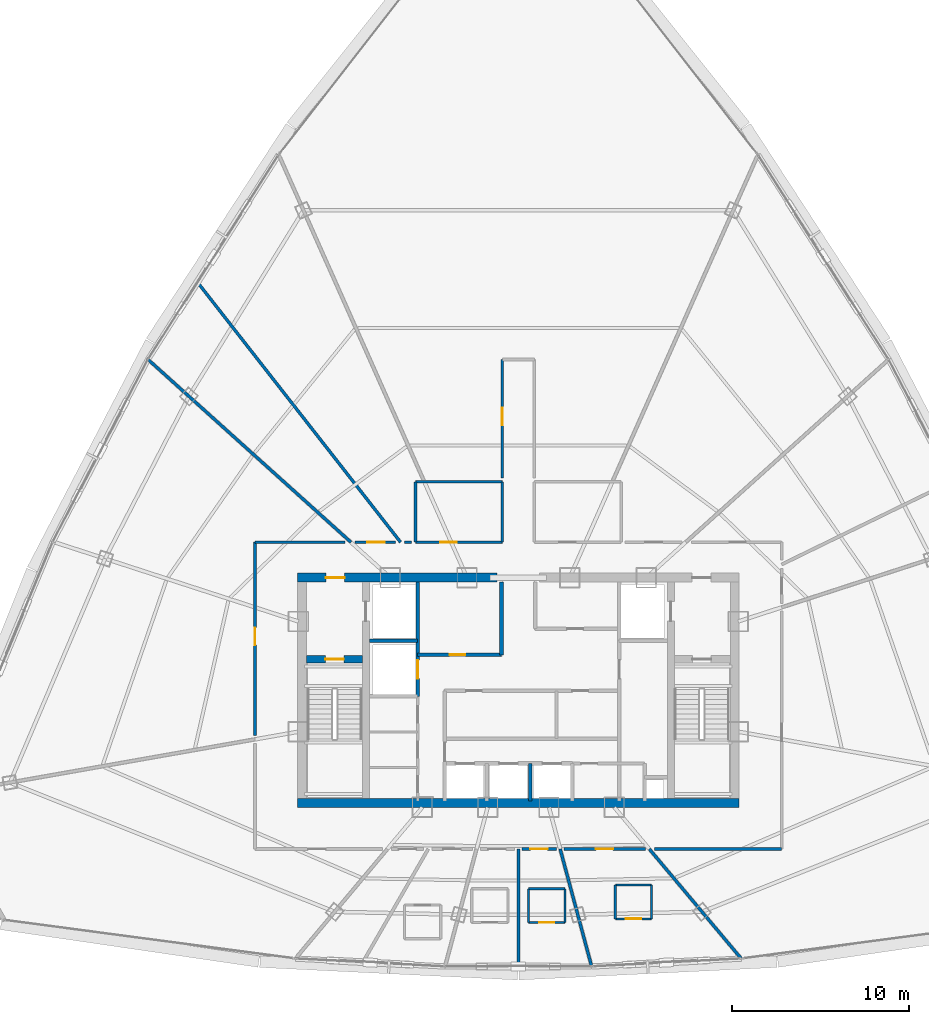
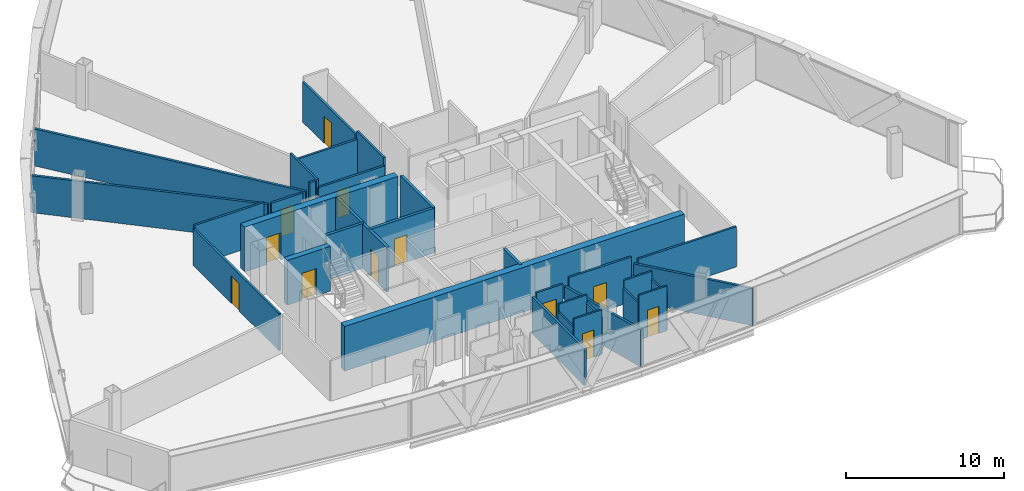
# One storey, part 32 of 37: 33 walls, 12 doors, 12 openings.
"""IFC4 building model written with IfcOpenShell, lengths in metres."""

from ifc_helpers import new_model, si_unit, direction, frame, frame_2d, origin, origin_with_axes, place, context, subcontext, project, spatial, rectangle, extrude, source, transform, mapped, material, layer, layer_set, type_object, element, fill, save


model = new_model("IFC4")

# Units and contexts
model_context = context("Model", 3, precision=1e-05, world=origin(), true_north=direction((0.0, 1.0)))
body_context = subcontext(model_context, "Body", "Model", "MODEL_VIEW")
ifc_project = project(units=[si_unit("LENGTHUNIT", "METRE"), si_unit("AREAUNIT", "SQUARE_METRE"), si_unit("VOLUMEUNIT", "CUBIC_METRE"), si_unit("PLANEANGLEUNIT", "RADIAN"), si_unit("MASSUNIT", "GRAM", prefix="KILO"), si_unit("THERMODYNAMICTEMPERATUREUNIT", "KELVIN"), si_unit("POWERUNIT", "WATT")], contexts=[model_context])

# Site, building, storey
site_placement = place(None, origin())
site = spatial("IfcSite", under=ifc_project, at=site_placement, CompositionType="ELEMENT")
building_placement = place(site_placement, origin())
building = spatial("IfcBuilding", under=site, at=building_placement, Name="Yunzhuo Pagoda Commons", CompositionType="ELEMENT")
storey_placement = place(building_placement, frame((0.0, 0.0, 281.2900390625)))
storey = spatial("IfcBuildingStorey", under=building, at=storey_placement, Name="L70", CompositionType="ELEMENT", Elevation=281.2900390625)

# Wall
ifc_material_1 = material(Name="Concrete C50", Category="concrete")
ifc_layer_1 = layer(ifc_material_1, 0.5)
ifc_layer_set_1 = layer_set([ifc_layer_1], Name="Concrete C50")
wall_type_1 = type_object("IfcWallType", Name="W-C03 Upper Core Shear Wall 500", PredefinedType="SHEAR", material=ifc_layer_set_1)
wall_1_placement = place(storey_placement, frame((35.550048828125, 27.5, 0.0), z_axis=(0.0, 0.0, 1.0), x_axis=(1.0, 0.0, 0.0)))
element("IfcWall", 1, at=wall_1_placement, inside=storey, type_object=wall_type_1, Name="L70 core shear wall S", PredefinedType="SHEAR", context=body_context, shape_type="SweptSolid", body=[
    extrude(rectangle(XDim=24.89990234375, YDim=0.5, at=frame_2d((12.449951171875, 0.0))), origin(), (0.0, 0.0, 1.0), 3.469970703125),
])

# Wall, opening, door
wall_2_placement = place(storey_placement, frame((35.550048828125, 40.199951171875, 0.0), z_axis=(0.0, 0.0, 1.0), x_axis=(1.0, 0.0, 0.0)))
wall_2 = element("IfcWall", 2, at=wall_2_placement, inside=storey, type_object=wall_type_1, Name="L70 core shear wall NW", PredefinedType="SHEAR", context=body_context, shape_type="SweptSolid", body=[
    extrude(rectangle(XDim=11.25, YDim=0.5, at=frame_2d((5.625, 0.0))), origin(), (0.0, 0.0, 1.0), 3.469970703125),
])
opening_1_placement = place(wall_2_placement, frame((1.60009765625, 0.0, 0.0)))
opening_1 = element("IfcOpeningElement", 3, at=opening_1_placement, cuts=wall_2, Name="Opening D-02", PredefinedType="OPENING", context=body_context, shape_type="SweptSolid", body=[
    extrude(rectangle(XDim=1.050048828125, YDim=2.10009765625, at=frame_2d((0.52490234375, 1.050048828125))), frame((0.0, 0.260009765625, 0.0), z_axis=(0.0, -1.0, 0.0), x_axis=(1.0, 0.0, 0.0)), (0.0, 0.0, 1.0), 0.52001953125),
])
ifc_material_2 = material(Name="Galvanized fire-resisting metal leaf")
door_type_1 = type_object("IfcDoorType", Name="D-02 Firefighting Lobby & Refuge Fire Door 1050x2100", OperationType="NOTDEFINED", PredefinedType="DOOR", material=ifc_material_2)
shared_shape_1 = source(origin(), body_context, "Body", "SweptSolid", [
    extrude(rectangle(XDim=1.050048828125, YDim=2.10009765625, at=frame_2d((0.52490234375, 1.050048828125))), frame((0.0, 0.02490234375, 0.0), z_axis=(0.0, -1.0, 0.0), x_axis=(1.0, 0.0, 0.0)), (0.0, 0.0, 1.0), 0.050048828125),
])
door_1_placement = place(opening_1_placement, frame((1.050048828125, 0.0, 0.0), z_axis=(0.0, 0.0, 1.0), x_axis=(-1.0, 0.0, 0.0)))
door_1 = element("IfcDoor", 4, at=door_1_placement, inside=storey, type_object=door_type_1, Name="L70 Firefighting Lobby 1 fire door", OperationType="SINGLE_SWING_LEFT", OverallHeight=2.10009765625, OverallWidth=1.050048828125, PredefinedType="DOOR", context=body_context, shape_type="MappedRepresentation", body=[
    mapped(shared_shape_1, transform((0.0, 0.0, 0.0), scale=1.0)),
])
fill(opening_1, door_1)

ifc_material_3 = material(Name="Gypsum plasterboard on acoustic stud")
ifc_layer_2 = layer(ifc_material_3, 0.14990234375)
ifc_layer_set_2 = layer_set([ifc_layer_2], Name="Gypsum plasterboard on acoustic stud")
wall_type_2 = type_object("IfcWallType", Name="W-COR3 High-Zone Rated Corridor Wall 150", PredefinedType="PARTITIONING", material=ifc_layer_set_2)
wall_3_placement = place(storey_placement, frame((42.199951171875, 42.199951171875, 0.0), z_axis=(0.0, 0.0, 1.0), x_axis=(1.0, 0.0, 0.0)))
wall_3 = element("IfcWall", 5, at=wall_3_placement, inside=storey, type_object=wall_type_2, Name="L70 interior wall IW-L70-TFWS", PredefinedType="PARTITIONING", context=body_context, shape_type="SweptSolid", body=[
    extrude(rectangle(XDim=4.900146484375, YDim=0.14990234375, at=frame_2d((2.4501953125, 0.0))), origin(), (0.0, 0.0, 1.0), 2.869873046875),
])
opening_2_placement = place(wall_3_placement, frame((1.39990234375, 0.0, 0.0)))
opening_2 = element("IfcOpeningElement", 6, at=opening_2_placement, cuts=wall_3, Name="Opening D-04", PredefinedType="OPENING", context=body_context, shape_type="SweptSolid", body=[
    extrude(rectangle(XDim=0.919921875, YDim=2.10009765625, at=frame_2d((0.4599609375, 1.050048828125))), frame((0.0, 0.0849609375, 0.0), z_axis=(0.0, -1.0, 0.0), x_axis=(1.0, 0.0, 0.0)), (0.0, 0.0, 1.0), 0.169921875),
])
ifc_material_4 = material(Name="Powder-coated aluminium and timber acoustic leaf", Category="wood")
door_type_2 = type_object("IfcDoorType", Name="D-04 Bedroom & Study Interior Door 920x2100", OperationType="NOTDEFINED", PredefinedType="DOOR", material=ifc_material_4)
shared_shape_2 = source(origin(), body_context, "Body", "SweptSolid", [
    extrude(rectangle(XDim=0.919921875, YDim=2.10009765625, at=frame_2d((0.4599609375, 1.050048828125))), frame((0.0, 0.02490234375, 0.0), z_axis=(0.0, -1.0, 0.0), x_axis=(1.0, 0.0, 0.0)), (0.0, 0.0, 1.0), 0.050048828125),
])
door_2_placement = place(opening_2_placement, frame((0.919921875, 0.0, 0.0), z_axis=(0.0, 0.0, 1.0), x_axis=(-1.0, 0.0, 0.0)))
door_2 = element("IfcDoor", 7, at=door_2_placement, inside=storey, type_object=door_type_2, Name="L70 laundry door", OperationType="SINGLE_SWING_LEFT", OverallHeight=2.10009765625, OverallWidth=0.919921875, PredefinedType="DOOR", context=body_context, shape_type="MappedRepresentation", body=[
    mapped(shared_shape_2, transform((0.0, 0.0, 0.0), scale=1.0)),
])
fill(opening_2, door_2)

# Walls
wall_4_placement = place(storey_placement, frame((42.199951171875, 45.60009765625, 0.0), z_axis=(0.0, 0.0, 1.0), x_axis=(1.0, 0.0, 0.0)))
element("IfcWall", 8, at=wall_4_placement, inside=storey, type_object=wall_type_2, Name="L70 interior wall IW-L70-TFWN", PredefinedType="PARTITIONING", context=body_context, shape_type="SweptSolid", body=[
    extrude(rectangle(XDim=4.900146484375, YDim=0.14990234375, at=frame_2d((2.4501953125, 0.0))), origin(), (0.0, 0.0, 1.0), 2.869873046875),
])
for number, where, z_axis, x_axis, name in (
    (9, (42.199951171875, 42.199951171875, 0.0), (0.0, 0.0, 1.0), (0.0, 1.0, 0.0), "L70 interior wall IW-L70-TFWW"),
    (10, (47.10009765625, 42.199951171875, 0.0), (0.0, 0.0, 1.0), (0.0, 1.0, 0.0), "L70 interior wall IW-L70-TFWE"),
):
    element("IfcWall", number, at=place(storey_placement, frame(where, z_axis=z_axis, x_axis=x_axis)), inside=storey, type_object=wall_type_2, Name=name, PredefinedType="PARTITIONING", context=body_context, shape_type="SweptSolid", body=[
        extrude(rectangle(XDim=3.400146484375, YDim=0.14990234375, at=frame_2d((1.7001953125, 0.0))), origin(), (0.0, 0.0, 1.0), 3.469970703125),
    ])

# Wall, opening, door
wall_5_placement = place(storey_placement, frame((33.14990234375, 31.30126953125, 0.0), z_axis=(0.0, 0.0, 1.0), x_axis=(0.0, 1.0, 0.0)))
wall_5 = element("IfcWall", 11, at=wall_5_placement, inside=storey, type_object=wall_type_2, Name="L70 interior wall IW-L70-CWL02", PredefinedType="PARTITIONING", context=body_context, shape_type="SweptSolid", body=[
    extrude(rectangle(XDim=10.898681640625, YDim=0.14990234375, at=frame_2d((5.44921875, 0.0))), origin(), (0.0, 0.0, 1.0), 2.869873046875),
])
opening_3_placement = place(wall_5_placement, frame((5.094482421875, 0.0, 0.0)))
opening_3 = element("IfcOpeningElement", 12, at=opening_3_placement, cuts=wall_5, Name="Opening D-08", PredefinedType="OPENING", context=body_context, shape_type="SweptSolid", body=[
    extrude(rectangle(XDim=0.97998046875, YDim=2.1201171875, at=frame_2d((0.489990234375, 1.06005859375))), frame((0.0, 0.0849609375, 0.0), z_axis=(0.0, -1.0, 0.0), x_axis=(1.0, 0.0, 0.0)), (0.0, 0.0, 1.0), 0.169921875),
])
door_type_3 = type_object("IfcDoorType", Name="D-08 High-Zone Suite Entrance Fire Door 980x2120", OperationType="NOTDEFINED", PredefinedType="DOOR", material=ifc_material_2)
shared_shape_3 = source(origin(), body_context, "Body", "SweptSolid", [
    extrude(rectangle(XDim=0.97998046875, YDim=2.1201171875, at=frame_2d((0.489990234375, 1.06005859375))), frame((0.0, 0.02490234375, 0.0), z_axis=(0.0, -1.0, 0.0), x_axis=(1.0, 0.0, 0.0)), (0.0, 0.0, 1.0), 0.050048828125),
])
door_3_placement = place(opening_3_placement, origin_with_axes())
door_3 = element("IfcDoor", 13, at=door_3_placement, inside=storey, type_object=door_type_3, Name="L70 Shared Resident Kitchen and Pantry door", OperationType="SINGLE_SWING_LEFT", OverallHeight=2.1201171875, OverallWidth=0.97998046875, PredefinedType="DOOR", context=body_context, shape_type="MappedRepresentation", body=[
    mapped(shared_shape_3, transform((0.0, 0.0, 0.0), scale=1.0)),
])
fill(opening_3, door_3)

# Wall
wall_6_placement = place(storey_placement, frame((33.14990234375, 42.199951171875, 0.0), z_axis=(0.0, 0.0, 1.0), x_axis=(1.0, 0.0, 0.0)))
element("IfcWall", 14, at=wall_6_placement, inside=storey, type_object=wall_type_2, Name="L70 interior wall IW-L70-CWL03", PredefinedType="PARTITIONING", context=body_context, shape_type="SweptSolid", body=[
    extrude(rectangle(XDim=5.0810546875, YDim=0.14990234375, at=frame_2d((2.54052734375, 0.0))), origin(), (0.0, 0.0, 1.0), 3.119873046875),
])

# Wall, opening, door
wall_7_placement = place(storey_placement, frame((38.779541015625, 42.199951171875, 0.0), z_axis=(0.0, 0.0, 1.0), x_axis=(1.0, 0.0, 0.0)))
wall_7 = element("IfcWall", 15, at=wall_7_placement, inside=storey, type_object=wall_type_2, Name="L70 interior wall IW-L70-CWL04", PredefinedType="PARTITIONING", context=body_context, shape_type="SweptSolid", body=[
    extrude(rectangle(XDim=2.30029296875, YDim=0.14990234375, at=frame_2d((1.150146484375, 0.0))), origin(), (0.0, 0.0, 1.0), 2.869873046875),
])
opening_4_placement = place(wall_7_placement, frame((0.705078125, 0.0, 0.0)))
opening_4 = element("IfcOpeningElement", 16, at=opening_4_placement, cuts=wall_7, Name="Opening D-08", PredefinedType="OPENING", context=body_context, shape_type="SweptSolid", body=[
    extrude(rectangle(XDim=0.97998046875, YDim=2.1201171875, at=frame_2d((0.489990234375, 1.06005859375))), frame((0.0, 0.0849609375, 0.0), z_axis=(0.0, -1.0, 0.0), x_axis=(1.0, 0.0, 0.0)), (0.0, 0.0, 1.0), 0.169921875),
])
door_4_placement = place(opening_4_placement, origin_with_axes())
door_4 = element("IfcDoor", 17, at=door_4_placement, inside=storey, type_object=door_type_3, Name="L70 unit 06 entrance door", OperationType="SINGLE_SWING_RIGHT", OverallHeight=2.1201171875, OverallWidth=0.97998046875, PredefinedType="DOOR", context=body_context, shape_type="MappedRepresentation", body=[
    mapped(shared_shape_3, transform((0.0, 0.0, 0.0), scale=1.0)),
])
fill(opening_4, door_4)

# Wall
wall_8_placement = place(storey_placement, frame((41.578857421875, 42.199951171875, 0.0), z_axis=(0.0, 0.0, 1.0), x_axis=(1.0, 0.0, 0.0)))
element("IfcWall", 18, at=wall_8_placement, inside=storey, type_object=wall_type_2, Name="L70 interior wall IW-L70-CWL05", PredefinedType="PARTITIONING", context=body_context, shape_type="SweptSolid", body=[
    extrude(rectangle(XDim=0.401123046875, YDim=0.14990234375, at=frame_2d((0.20068359375, 0.0))), origin(), (0.0, 0.0, 1.0), 3.469970703125),
])

# Wall, opening, door
wall_9_placement = place(storey_placement, frame((47.10009765625, 45.820068359375, 0.0), z_axis=(0.0, 0.0, 1.0), x_axis=(0.0, 1.0, 0.0)))
wall_9 = element("IfcWall", 19, at=wall_9_placement, inside=storey, type_object=wall_type_2, Name="L70 interior wall IW-L70-CWL06", PredefinedType="PARTITIONING", context=body_context, shape_type="SweptSolid", body=[
    extrude(rectangle(XDim=6.679931640625, YDim=0.14990234375, at=frame_2d((3.33984375, 0.0))), origin(), (0.0, 0.0, 1.0), 3.119873046875),
])
opening_5_placement = place(wall_9_placement, frame((2.985107421875, 0.0, 0.0)))
opening_5 = element("IfcOpeningElement", 20, at=opening_5_placement, cuts=wall_9, Name="Opening D-08", PredefinedType="OPENING", context=body_context, shape_type="SweptSolid", body=[
    extrude(rectangle(XDim=0.97998046875, YDim=2.1201171875, at=frame_2d((0.489990234375, 1.06005859375))), frame((0.0, 0.0849609375, 0.0), z_axis=(0.0, -1.0, 0.0), x_axis=(1.0, 0.0, 0.0)), (0.0, 0.0, 1.0), 0.169921875),
])
door_5_placement = place(opening_5_placement, origin_with_axes())
door_5 = element("IfcDoor", 21, at=door_5_placement, inside=storey, type_object=door_type_3, Name="L70 unit 04 entrance door", OperationType="SINGLE_SWING_RIGHT", OverallHeight=2.1201171875, OverallWidth=0.97998046875, PredefinedType="DOOR", context=body_context, shape_type="MappedRepresentation", body=[
    mapped(shared_shape_3, transform((0.0, 0.0, 0.0), scale=1.0)),
])
fill(opening_5, door_5)

# Wall
wall_10_placement = place(storey_placement, frame((62.85009765625, 24.89990234375, 0.0), z_axis=(0.0, 0.0, 1.0), x_axis=(-1.0, 0.0, 0.0)))
element("IfcWall", 22, at=wall_10_placement, inside=storey, type_object=wall_type_2, Name="L70 interior wall IW-L70-CWL14", PredefinedType="PARTITIONING", context=body_context, shape_type="SweptSolid", body=[
    extrude(rectangle(XDim=7.1787109375, YDim=0.14990234375, at=frame_2d((3.58935546875, 0.0))), origin(), (0.0, 0.0, 1.0), 3.119873046875),
])

# Wall, opening, door
wall_11_placement = place(storey_placement, frame((55.164306640625, 24.89990234375, 0.0), z_axis=(0.0, 0.0, 1.0), x_axis=(-1.0, 0.0, 0.0)))
wall_11 = element("IfcWall", 23, at=wall_11_placement, inside=storey, type_object=wall_type_2, Name="L70 interior wall IW-L70-CWL15", PredefinedType="PARTITIONING", context=body_context, shape_type="SweptSolid", body=[
    extrude(rectangle(XDim=4.57861328125, YDim=0.14990234375, at=frame_2d((2.289306640625, 0.0))), origin(), (0.0, 0.0, 1.0), 3.469970703125),
])
opening_6_placement = place(wall_11_placement, frame((1.818115234375, 0.0, 0.0)))
opening_6 = element("IfcOpeningElement", 24, at=opening_6_placement, cuts=wall_11, Name="Opening D-08", PredefinedType="OPENING", context=body_context, shape_type="SweptSolid", body=[
    extrude(rectangle(XDim=0.97998046875, YDim=2.1201171875, at=frame_2d((0.489990234375, 1.06005859375))), frame((0.0, 0.0849609375, 0.0), z_axis=(0.0, -1.0, 0.0), x_axis=(1.0, 0.0, 0.0)), (0.0, 0.0, 1.0), 0.169921875),
])
door_6_placement = place(opening_6_placement, origin_with_axes())
door_6 = element("IfcDoor", 25, at=door_6_placement, inside=storey, type_object=door_type_3, Name="L70 unit 13 entrance door", OperationType="SINGLE_SWING_LEFT", OverallHeight=2.1201171875, OverallWidth=0.97998046875, PredefinedType="DOOR", context=body_context, shape_type="MappedRepresentation", body=[
    mapped(shared_shape_3, transform((0.0, 0.0, 0.0), scale=1.0)),
])
fill(opening_6, door_6)

wall_12_placement = place(storey_placement, frame((50.13818359375, 24.89990234375, 0.0), z_axis=(0.0, 0.0, 1.0), x_axis=(-1.0, 0.0, 0.0)))
wall_12 = element("IfcWall", 26, at=wall_12_placement, inside=storey, type_object=wall_type_2, Name="L70 interior wall IW-L70-CWL16", PredefinedType="PARTITIONING", context=body_context, shape_type="SweptSolid", body=[
    extrude(rectangle(XDim=1.918212890625, YDim=0.14990234375, at=frame_2d((0.958984375, 0.0))), origin(), (0.0, 0.0, 1.0), 3.119873046875),
])
opening_7_placement = place(wall_12_placement, frame((0.484130859375, 0.0, 0.0)))
opening_7 = element("IfcOpeningElement", 27, at=opening_7_placement, cuts=wall_12, Name="Opening D-08", PredefinedType="OPENING", context=body_context, shape_type="SweptSolid", body=[
    extrude(rectangle(XDim=0.97998046875, YDim=2.1201171875, at=frame_2d((0.489990234375, 1.06005859375))), frame((0.0, 0.0849609375, 0.0), z_axis=(0.0, -1.0, 0.0), x_axis=(1.0, 0.0, 0.0)), (0.0, 0.0, 1.0), 0.169921875),
])
door_7_placement = place(opening_7_placement, origin_with_axes())
door_7 = element("IfcDoor", 28, at=door_7_placement, inside=storey, type_object=door_type_3, Name="L70 unit 12 entrance door", OperationType="SINGLE_SWING_RIGHT", OverallHeight=2.1201171875, OverallWidth=0.97998046875, PredefinedType="DOOR", context=body_context, shape_type="MappedRepresentation", body=[
    mapped(shared_shape_3, transform((0.0, 0.0, 0.0), scale=1.0)),
])
fill(opening_7, door_7)

ifc_layer_3 = layer(ifc_material_3, 0.1201171875)
ifc_layer_set_3 = layer_set([ifc_layer_3], Name="Gypsum plasterboard on acoustic stud")
wall_type_3 = type_object("IfcWallType", Name="W-PRT1 Suite & Bathroom Partition 120", PredefinedType="PARTITIONING", material=ifc_layer_set_3)
wall_13_placement = place(storey_placement, frame((48.576904296875, 20.758056640625, 0.0), z_axis=(0.0, 0.0, 1.0), x_axis=(1.0, 0.0, 0.0)))
wall_13 = element("IfcWall", 29, at=wall_13_placement, inside=storey, type_object=wall_type_3, Name="L70 interior wall IW-L70-B12S", PredefinedType="PARTITIONING", context=body_context, shape_type="SweptSolid", body=[
    extrude(rectangle(XDim=2.050048828125, YDim=0.1201171875, at=frame_2d((1.02490234375, 0.0))), origin(), (0.0, 0.0, 1.0), 3.469970703125),
])
opening_8_placement = place(wall_13_placement, frame((0.60009765625, 0.0, 0.0)))
opening_8 = element("IfcOpeningElement", 30, at=opening_8_placement, cuts=wall_13, Name="Opening D-05", PredefinedType="OPENING", context=body_context, shape_type="SweptSolid", body=[
    extrude(rectangle(XDim=0.85009765625, YDim=2.10009765625, at=frame_2d((0.425048828125, 1.050048828125))), frame((0.0, 0.070068359375, 0.0), z_axis=(0.0, -1.0, 0.0), x_axis=(1.0, 0.0, 0.0)), (0.0, 0.0, 1.0), 0.14013671875),
])
door_type_4 = type_object("IfcDoorType", Name="D-05 En-Suite Bathroom Door 850x2100", OperationType="NOTDEFINED", PredefinedType="DOOR", material=ifc_material_4)
shared_shape_4 = source(origin(), body_context, "Body", "SweptSolid", [
    extrude(rectangle(XDim=0.85009765625, YDim=2.10009765625, at=frame_2d((0.425048828125, 1.050048828125))), frame((0.0, 0.02490234375, 0.0), z_axis=(0.0, -1.0, 0.0), x_axis=(1.0, 0.0, 0.0)), (0.0, 0.0, 1.0), 0.050048828125),
])
door_8_placement = place(opening_8_placement, frame((0.85009765625, 0.0, 0.0), z_axis=(0.0, 0.0, 1.0), x_axis=(-1.0, 0.0, 0.0)))
door_8 = element("IfcDoor", 31, at=door_8_placement, inside=storey, type_object=door_type_4, Name="L70 unit 12 bathroom door", OperationType="SINGLE_SWING_RIGHT", OverallHeight=2.10009765625, OverallWidth=0.85009765625, PredefinedType="DOOR", context=body_context, shape_type="MappedRepresentation", body=[
    mapped(shared_shape_4, transform((0.0, 0.0, 0.0), scale=1.0)),
])
fill(opening_8, door_8)

# Walls
wall_14_placement = place(storey_placement, frame((50.626953125, 20.758056640625, 0.0), z_axis=(0.0, 0.0, 1.0), x_axis=(0.0, 1.0, 0.0)))
element("IfcWall", 32, at=wall_14_placement, inside=storey, type_object=wall_type_3, Name="L70 interior wall IW-L70-B12E", PredefinedType="PARTITIONING", context=body_context, shape_type="SweptSolid", body=[
    extrude(rectangle(XDim=1.89990234375, YDim=0.1201171875, at=frame_2d((0.949951171875, 0.0))), origin(), (0.0, 0.0, 1.0), 2.869873046875),
])
wall_15_placement = place(storey_placement, frame((50.626953125, 22.657958984375, 0.0), z_axis=(0.0, 0.0, 1.0), x_axis=(-1.0, 0.0, 0.0)))
element("IfcWall", 33, at=wall_15_placement, inside=storey, type_object=wall_type_3, Name="L70 interior wall IW-L70-B12N", PredefinedType="PARTITIONING", context=body_context, shape_type="SweptSolid", body=[
    extrude(rectangle(XDim=2.050048828125, YDim=0.1201171875, at=frame_2d((1.02490234375, 0.0))), origin(), (0.0, 0.0, 1.0), 3.469970703125),
])
wall_16_placement = place(storey_placement, frame((48.576904296875, 22.657958984375, 0.0), z_axis=(0.0, 0.0, 1.0), x_axis=(0.0, -1.0, 0.0)))
element("IfcWall", 34, at=wall_16_placement, inside=storey, type_object=wall_type_3, Name="L70 interior wall IW-L70-B12W", PredefinedType="PARTITIONING", context=body_context, shape_type="SweptSolid", body=[
    extrude(rectangle(XDim=1.89990234375, YDim=0.1201171875, at=frame_2d((0.949951171875, 0.0))), origin(), (0.0, 0.0, 1.0), 2.869873046875),
])

# Wall, opening, door
wall_17_placement = place(storey_placement, frame((53.467041015625, 20.962890625, 0.0), z_axis=(0.0, 0.0, 1.0), x_axis=(1.0, 0.0, 0.0)))
wall_17 = element("IfcWall", 35, at=wall_17_placement, inside=storey, type_object=wall_type_3, Name="L70 interior wall IW-L70-B13S", PredefinedType="PARTITIONING", context=body_context, shape_type="SweptSolid", body=[
    extrude(rectangle(XDim=2.050048828125, YDim=0.1201171875, at=frame_2d((1.02490234375, 0.0))), origin(), (0.0, 0.0, 1.0), 3.469970703125),
])
opening_9_placement = place(wall_17_placement, frame((0.60009765625, 0.0, 0.0)))
opening_9 = element("IfcOpeningElement", 36, at=opening_9_placement, cuts=wall_17, Name="Opening D-05", PredefinedType="OPENING", context=body_context, shape_type="SweptSolid", body=[
    extrude(rectangle(XDim=0.85009765625, YDim=2.10009765625, at=frame_2d((0.425048828125, 1.050048828125))), frame((0.0, 0.070068359375, 0.0), z_axis=(0.0, -1.0, 0.0), x_axis=(1.0, 0.0, 0.0)), (0.0, 0.0, 1.0), 0.14013671875),
])
door_9_placement = place(opening_9_placement, frame((0.85009765625, 0.0, 0.0), z_axis=(0.0, 0.0, 1.0), x_axis=(-1.0, 0.0, 0.0)))
door_9 = element("IfcDoor", 37, at=door_9_placement, inside=storey, type_object=door_type_4, Name="L70 unit 13 bathroom door", OperationType="SINGLE_SWING_LEFT", OverallHeight=2.10009765625, OverallWidth=0.85009765625, PredefinedType="DOOR", context=body_context, shape_type="MappedRepresentation", body=[
    mapped(shared_shape_4, transform((0.0, 0.0, 0.0), scale=1.0)),
])
fill(opening_9, door_9)

# Walls
wall_18_placement = place(storey_placement, frame((55.51708984375, 20.962890625, 0.0), z_axis=(0.0, 0.0, 1.0), x_axis=(0.0, 1.0, 0.0)))
element("IfcWall", 38, at=wall_18_placement, inside=storey, type_object=wall_type_3, Name="L70 interior wall IW-L70-B13E", PredefinedType="PARTITIONING", context=body_context, shape_type="SweptSolid", body=[
    extrude(rectangle(XDim=1.900146484375, YDim=0.1201171875, at=frame_2d((0.9501953125, 0.0))), origin(), (0.0, 0.0, 1.0), 2.869873046875),
])
wall_19_placement = place(storey_placement, frame((55.51708984375, 22.863037109375, 0.0), z_axis=(0.0, 0.0, 1.0), x_axis=(-1.0, 0.0, 0.0)))
element("IfcWall", 39, at=wall_19_placement, inside=storey, type_object=wall_type_3, Name="L70 interior wall IW-L70-B13N", PredefinedType="PARTITIONING", context=body_context, shape_type="SweptSolid", body=[
    extrude(rectangle(XDim=2.050048828125, YDim=0.1201171875, at=frame_2d((1.02490234375, 0.0))), origin(), (0.0, 0.0, 1.0), 3.469970703125),
])
wall_20_placement = place(storey_placement, frame((53.467041015625, 22.863037109375, 0.0), z_axis=(0.0, 0.0, 1.0), x_axis=(0.0, -1.0, 0.0)))
element("IfcWall", 40, at=wall_20_placement, inside=storey, type_object=wall_type_3, Name="L70 interior wall IW-L70-B13W", PredefinedType="PARTITIONING", context=body_context, shape_type="SweptSolid", body=[
    extrude(rectangle(XDim=1.900146484375, YDim=0.1201171875, at=frame_2d((0.9501953125, 0.0))), origin(), (0.0, 0.0, 1.0), 2.869873046875),
])
ifc_layer_4 = layer(ifc_material_3, 0.169921875)
ifc_layer_set_4 = layer_set([ifc_layer_4], Name="Gypsum plasterboard on acoustic stud")
wall_type_4 = type_object("IfcWallType", Name="W-PRT4 High-Zone Demising Wall 170", PredefinedType="PARTITIONING", material=ifc_layer_set_4)
wall_21_placement = place(storey_placement, frame((41.359130859375, 42.199951171875, 0.0), z_axis=(0.0, 0.0, 1.0), x_axis=(-0.615658553978, 0.788013036005, 0.0)))
element("IfcWall", 41, at=wall_21_placement, inside=storey, type_object=wall_type_4, Name="L70 interior wall IW-L70-RAD06", PredefinedType="PARTITIONING", context=body_context, shape_type="SweptSolid", body=[
    extrude(rectangle(XDim=18.608642578125, YDim=0.169921875, at=frame_2d((9.30419921875, 0.0))), origin(), (0.0, 0.0, 1.0), 2.869873046875),
])
wall_22_placement = place(storey_placement, frame((38.559814453125, 42.199951171875, 0.0), z_axis=(0.0, 0.0, 1.0), x_axis=(-0.743145118403, 0.669130281032, 0.0)))
element("IfcWall", 42, at=wall_22_placement, inside=storey, type_object=wall_type_4, Name="L70 interior wall IW-L70-RAD07", PredefinedType="PARTITIONING", context=body_context, shape_type="SweptSolid", body=[
    extrude(rectangle(XDim=15.3974609375, YDim=0.169921875, at=frame_2d((7.69873046875, 0.0))), origin(), (0.0, 0.0, 1.0), 2.869873046875),
])
wall_23_placement = place(storey_placement, frame((48.0, 24.89990234375, 0.0), z_axis=(0.0, 0.0, 1.0), x_axis=(0.0, -1.0, 0.0)))
element("IfcWall", 43, at=wall_23_placement, inside=storey, type_object=wall_type_4, Name="L70 interior wall IW-L70-RAD12", PredefinedType="PARTITIONING", context=body_context, shape_type="SweptSolid", body=[
    extrude(rectangle(XDim=6.624755859375, YDim=0.169921875, at=frame_2d((3.3125, 0.0))), origin(), (0.0, 0.0, 1.0), 2.869873046875),
])
wall_24_placement = place(storey_placement, frame((50.35791015625, 24.89990234375, 0.0), z_axis=(0.0, 0.0, 1.0), x_axis=(0.258825643191, -0.965924058312, 0.0)))
element("IfcWall", 44, at=wall_24_placement, inside=storey, type_object=wall_type_4, Name="L70 interior wall IW-L70-RAD13", PredefinedType="PARTITIONING", context=body_context, shape_type="SweptSolid", body=[
    extrude(rectangle(XDim=6.8583984375, YDim=0.169921875, at=frame_2d((3.42919921875, 0.0))), origin(), (0.0, 0.0, 1.0), 2.869873046875),
])
wall_25_placement = place(storey_placement, frame((55.384033203125, 24.89990234375, 0.0), z_axis=(0.0, 0.0, 1.0), x_axis=(0.642788791497, -0.76604345146, 0.0)))
element("IfcWall", 45, at=wall_25_placement, inside=storey, type_object=wall_type_4, Name="L70 interior wall IW-L70-RAD14", PredefinedType="PARTITIONING", context=body_context, shape_type="SweptSolid", body=[
    extrude(rectangle(XDim=8.065673828125, YDim=0.169921875, at=frame_2d((4.03271484375, 0.0))), origin(), (0.0, 0.0, 1.0), 2.869873046875),
])

# Wall, opening, door
ifc_material_5 = material(Name="Concrete C60", Category="concrete")
ifc_layer_5 = layer(ifc_material_5, 0.39990234375)
ifc_layer_set_5 = layer_set([ifc_layer_5], Name="Concrete C60")
wall_type_5 = type_object("IfcWallType", Name="W-S01 Internal Core Shear Web 400", PredefinedType="SHEAR", material=ifc_layer_set_5)
wall_26_placement = place(storey_placement, frame((36.050048828125, 35.60009765625, 0.0), z_axis=(0.0, 0.0, 1.0), x_axis=(1.0, 0.0, 0.0)))
wall_26 = element("IfcWall", 46, at=wall_26_placement, inside=storey, type_object=wall_type_5, Name="L70 core shear wall STW", PredefinedType="SHEAR", context=body_context, shape_type="SweptSolid", body=[
    extrude(rectangle(XDim=3.14990234375, YDim=0.39990234375, at=frame_2d((1.574951171875, 0.0))), origin(), (0.0, 0.0, 1.0), 3.469970703125),
])
opening_10_placement = place(wall_26_placement, frame((1.070068359375, 0.0, 0.0)))
opening_10 = element("IfcOpeningElement", 47, at=opening_10_placement, cuts=wall_26, Name="Opening D-01", PredefinedType="OPENING", context=body_context, shape_type="SweptSolid", body=[
    extrude(rectangle(XDim=1.050048828125, YDim=2.10009765625, at=frame_2d((0.52490234375, 1.050048828125))), frame((0.0, 0.2099609375, 0.0), z_axis=(0.0, -1.0, 0.0), x_axis=(1.0, 0.0, 0.0)), (0.0, 0.0, 1.0), 0.419921875),
])
door_type_5 = type_object("IfcDoorType", Name="D-01 Smokeproof Stair Fire Door 1050x2100", OperationType="NOTDEFINED", PredefinedType="DOOR", material=ifc_material_2)
door_10_placement = place(opening_10_placement, frame((1.050048828125, 0.0, 0.0), z_axis=(0.0, 0.0, 1.0), x_axis=(-1.0, 0.0, 0.0)))
door_10 = element("IfcDoor", 48, at=door_10_placement, inside=storey, type_object=door_type_5, Name="L70 Stair ST1 fire door", OperationType="SINGLE_SWING_LEFT", OverallHeight=2.10009765625, OverallWidth=1.050048828125, PredefinedType="DOOR", context=body_context, shape_type="MappedRepresentation", body=[
    mapped(shared_shape_1, transform((0.0, 0.0, 0.0), scale=1.0)),
])
fill(opening_10, door_10)

ifc_material_6 = material(Name="Concrete C40", Category="concrete")
ifc_layer_6 = layer(ifc_material_6, 0.199951171875)
ifc_layer_set_6 = layer_set([ifc_layer_6], Name="Concrete C40")
wall_type_6 = type_object("IfcWallType", Name="W-SHF Shaft & Stair Enclosure Wall 200", PredefinedType="SOLIDWALL", material=ifc_layer_set_6)
wall_27_placement = place(storey_placement, frame((42.320068359375, 33.5, 0.0), z_axis=(0.0, 0.0, 1.0), x_axis=(0.0, 1.0, 0.0)))
wall_27 = element("IfcWall", 49, at=wall_27_placement, inside=storey, type_object=wall_type_6, Name="L70 interior wall IW-L70-FL1E", PredefinedType="SOLIDWALL", context=body_context, shape_type="SweptSolid", body=[
    extrude(rectangle(XDim=6.449951171875, YDim=0.199951171875, at=frame_2d((3.22509765625, 0.0))), origin(), (0.0, 0.0, 1.0), 3.469970703125),
])
opening_11_placement = place(wall_27_placement, frame((1.0, 0.0, 0.0)))
opening_11 = element("IfcOpeningElement", 50, at=opening_11_placement, cuts=wall_27, Name="Opening LD-02", PredefinedType="OPENING", context=body_context, shape_type="SweptSolid", body=[
    extrude(rectangle(XDim=1.050048828125, YDim=2.10009765625, at=frame_2d((0.52490234375, 1.050048828125))), frame((0.0, 0.10986328125, 0.0), z_axis=(0.0, -1.0, 0.0), x_axis=(1.0, 0.0, 0.0)), (0.0, 0.0, 1.0), 0.219970703125),
])
door_type_6 = type_object("IfcDoorType", Name="LD-02 Passenger Lift Landing Door 1050x2100", OperationType="DOUBLE_DOOR_SLIDING", PredefinedType="DOOR", material=ifc_material_2)
door_11_placement = place(opening_11_placement, origin_with_axes())
door_11 = element("IfcDoor", 51, at=door_11_placement, inside=storey, type_object=door_type_6, Name="L70 Service lift SL-1 landing door", OperationType="DOUBLE_DOOR_SLIDING", OverallHeight=2.10009765625, OverallWidth=1.050048828125, PredefinedType="DOOR", context=body_context, shape_type="MappedRepresentation", body=[
    mapped(shared_shape_1, transform((0.0, 0.0, 0.0), scale=1.0)),
])
fill(opening_11, door_11)

# Wall
wall_28_placement = place(storey_placement, frame((39.60009765625, 36.64990234375, 0.0), z_axis=(0.0, 0.0, 1.0), x_axis=(1.0, 0.0, 0.0)))
element("IfcWall", 52, at=wall_28_placement, inside=storey, type_object=wall_type_6, Name="L70 interior wall IW-L70-FL1S", PredefinedType="SOLIDWALL", context=body_context, shape_type="SweptSolid", body=[
    extrude(rectangle(XDim=2.719970703125, YDim=0.199951171875, at=frame_2d((1.35986328125, 0.0))), origin(), (0.0, 0.0, 1.0), 3.469970703125),
])

# Wall, opening, door
wall_29_placement = place(storey_placement, frame((42.320068359375, 35.85009765625, 0.0), z_axis=(0.0, 0.0, 1.0), x_axis=(1.0, 0.0, 0.0)))
wall_29 = element("IfcWall", 53, at=wall_29_placement, inside=storey, type_object=wall_type_6, Name="L70 interior wall IW-L70-LBNW", PredefinedType="SOLIDWALL", context=body_context, shape_type="SweptSolid", body=[
    extrude(rectangle(XDim=4.72998046875, YDim=0.199951171875, at=frame_2d((2.364990234375, 0.0))), origin(), (0.0, 0.0, 1.0), 3.469970703125),
])
opening_12_placement = place(wall_29_placement, frame((1.800048828125, 0.0, 0.0)))
opening_12 = element("IfcOpeningElement", 54, at=opening_12_placement, cuts=wall_29, Name="Opening D-03", PredefinedType="OPENING", context=body_context, shape_type="SweptSolid", body=[
    extrude(rectangle(XDim=0.89990234375, YDim=2.10009765625, at=frame_2d((0.449951171875, 1.050048828125))), frame((0.0, 0.10986328125, 0.0), z_axis=(0.0, -1.0, 0.0), x_axis=(1.0, 0.0, 0.0)), (0.0, 0.0, 1.0), 0.219970703125),
])
door_type_7 = type_object("IfcDoorType", Name="D-03 Core Service Fire Door 900x2100", OperationType="NOTDEFINED", PredefinedType="DOOR", material=ifc_material_2)
shared_shape_5 = source(origin(), body_context, "Body", "SweptSolid", [
    extrude(rectangle(XDim=0.89990234375, YDim=2.10009765625, at=frame_2d((0.449951171875, 1.050048828125))), frame((0.0, 0.02490234375, 0.0), z_axis=(0.0, -1.0, 0.0), x_axis=(1.0, 0.0, 0.0)), (0.0, 0.0, 1.0), 0.050048828125),
])
door_12_placement = place(opening_12_placement, frame((0.89990234375, 0.0, 0.0), z_axis=(0.0, 0.0, 1.0), x_axis=(-1.0, 0.0, 0.0)))
door_12 = element("IfcDoor", 55, at=door_12_placement, inside=storey, type_object=door_type_7, Name="L70 core west store door", OperationType="SINGLE_SWING_LEFT", OverallHeight=2.10009765625, OverallWidth=0.89990234375, PredefinedType="DOOR", context=body_context, shape_type="MappedRepresentation", body=[
    mapped(shared_shape_5, transform((0.0, 0.0, 0.0), scale=1.0)),
])
fill(opening_12, door_12)

# Walls
wall_30_placement = place(storey_placement, frame((47.050048828125, 35.85009765625, 0.0), z_axis=(0.0, 0.0, 1.0), x_axis=(0.0, 1.0, 0.0)))
element("IfcWall", 56, at=wall_30_placement, inside=storey, type_object=wall_type_6, Name="L70 interior wall IW-L70-THRW", PredefinedType="SOLIDWALL", context=body_context, shape_type="SweptSolid", body=[
    extrude(rectangle(XDim=4.099853515625, YDim=0.199951171875, at=frame_2d((2.0498046875, 0.0))), origin(), (0.0, 0.0, 1.0), 3.469970703125),
])
wall_31_placement = place(storey_placement, frame((48.675048828125, 27.60009765625, 0.0), z_axis=(0.0, 0.0, 1.0), x_axis=(0.0, 1.0, 0.0)))
element("IfcWall", 57, at=wall_31_placement, inside=storey, type_object=wall_type_6, Name="L70 interior wall IW-L70-PLHD2", PredefinedType="SOLIDWALL", context=body_context, shape_type="SweptSolid", body=[
    extrude(rectangle(XDim=2.119873046875, YDim=0.199951171875, at=frame_2d((1.06005859375, 0.0))), origin(), (0.0, 0.0, 1.0), 3.469970703125),
])

save(model, "model.ifc")
